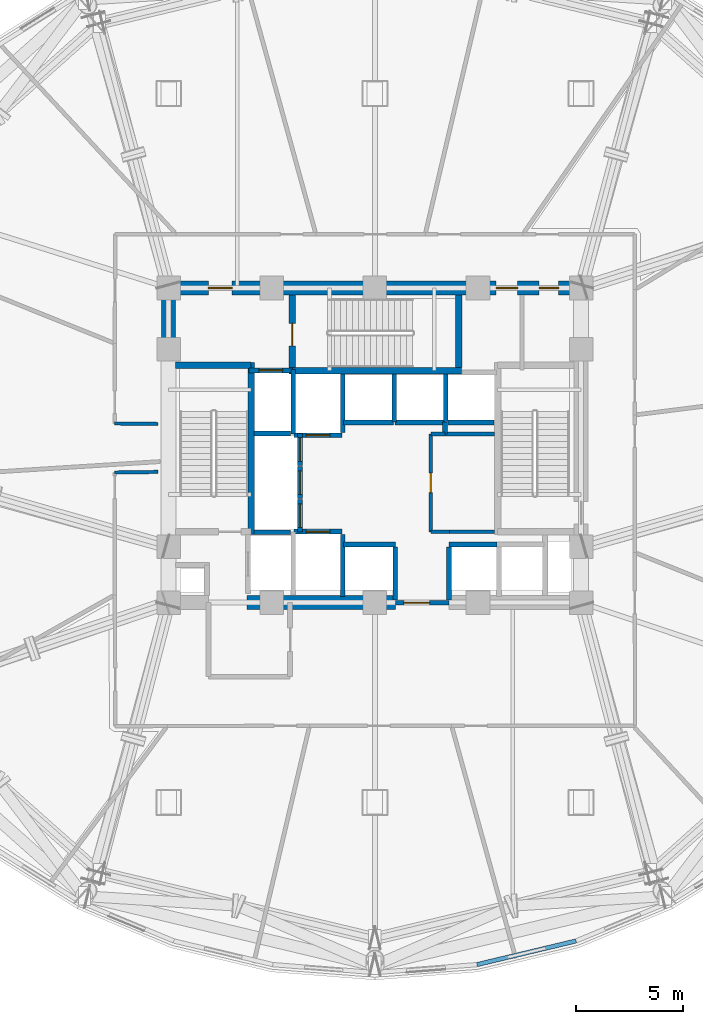
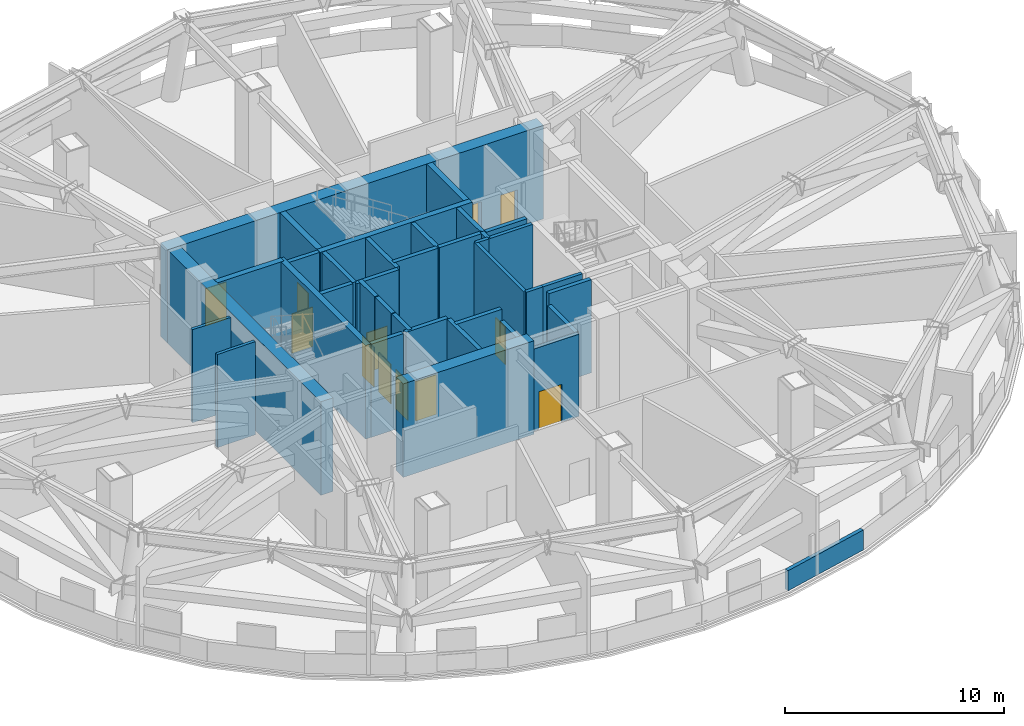
# One storey, part 7 of 14: 38 walls, 12 doors, 12 openings.
"""IFC4 building model written with IfcOpenShell, lengths in metres."""

from ifc_helpers import new_model, si_unit, direction, frame, frame_2d, origin, place, context, subcontext, project, spatial, rectangle, extrude, material, layer, layer_set, type_object, element, fill, save


model = new_model("IFC4")

# Units and contexts
model_context = context("Model", 3, precision=1e-05, world=origin(), true_north=direction((0.0, 1.0)))
body_context = subcontext(model_context, "Body", "Model", "MODEL_VIEW")
ifc_project = project(units=[si_unit("LENGTHUNIT", "METRE"), si_unit("AREAUNIT", "SQUARE_METRE"), si_unit("VOLUMEUNIT", "CUBIC_METRE"), si_unit("PLANEANGLEUNIT", "RADIAN"), si_unit("MASSUNIT", "GRAM", prefix="KILO")], contexts=[model_context])

# Site, building, storey
site_placement = place(None, origin())
site = spatial("IfcSite", under=ifc_project, at=site_placement, CompositionType="ELEMENT")
building_placement = place(site_placement, origin())
building = spatial("IfcBuilding", under=site, at=building_placement, Name="Vantalir Tower", CompositionType="ELEMENT")
storey_placement = place(building_placement, frame((0.0, 0.0, 90.75)))
storey = spatial("IfcBuildingStorey", under=building, at=storey_placement, Name="L22", CompositionType="ELEMENT", Elevation=90.75)

# Wall
ifc_material_1 = material(Name="Concrete C60/75", Category="concrete")
ifc_layer_1 = layer(ifc_material_1, 0.64990234375)
ifc_layer_set_1 = layer_set([ifc_layer_1], Name="Concrete C60/75")
wall_type_1 = type_object("IfcWallType", Name="WL-CORE-650", PredefinedType="SHEAR", material=ifc_layer_set_1)
wall_1_placement = place(storey_placement, frame((25.550048828125, 17.800048828125, 0.0), z_axis=(0.0, 0.0, 1.0), x_axis=(1.0, 0.0, 0.0)))
element("IfcWall", 1, at=wall_1_placement, inside=storey, type_object=wall_type_1, Name="L22 Core Shear Wall South-Mid", PredefinedType="SHEAR", context=body_context, shape_type="SweptSolid", body=[
    extrude(rectangle(XDim=6.89990234375, YDim=0.64990234375, at=frame_2d((3.449951171875, 0.0))), origin(), (0.0, 0.0, 1.0), 5.219970703125),
])

# Wall, openings, doors
wall_2_placement = place(storey_placement, frame((21.574951171875, 32.449951171875, 0.0), z_axis=(0.0, 0.0, 1.0), x_axis=(1.0, 0.0, 0.0)))
wall_2 = element("IfcWall", 2, at=wall_2_placement, inside=storey, type_object=wall_type_1, Name="L22 Core Shear Wall North", PredefinedType="SHEAR", context=body_context, shape_type="SweptSolid", body=[
    extrude(rectangle(XDim=19.85009765625, YDim=0.64990234375, at=frame_2d((9.925048828125, 0.0))), origin(), (0.0, 0.0, 1.0), 5.219970703125),
])
opening_1_placement = place(wall_2_placement, frame((2.175048828125, 0.0, 0.0)))
opening_1 = element("IfcOpeningElement", 3, at=opening_1_placement, cuts=wall_2, Name="Opening D-FFL", PredefinedType="OPENING", context=body_context, shape_type="SweptSolid", body=[
    extrude(rectangle(XDim=1.10009765625, YDim=2.10009765625, at=frame_2d((0.550048828125, 1.050048828125))), frame((0.0, 0.3349609375, 0.0), z_axis=(0.0, -1.0, 0.0), x_axis=(1.0, 0.0, 0.0)), (0.0, 0.0, 1.0), 0.669921875),
])
opening_2_placement = place(wall_2_placement, frame((15.56494140625, 0.0, 0.0)))
opening_2 = element("IfcOpeningElement", 4, at=opening_2_placement, cuts=wall_2, Name="Opening D-GUEST", PredefinedType="OPENING", context=body_context, shape_type="SweptSolid", body=[
    extrude(rectangle(XDim=1.0, YDim=2.10009765625, at=frame_2d((0.5, 1.050048828125))), frame((0.0, 0.3349609375, 0.0), z_axis=(0.0, -1.0, 0.0), x_axis=(1.0, 0.0, 0.0)), (0.0, 0.0, 1.0), 0.669921875),
])
opening_3_placement = place(wall_2_placement, frame((17.574951171875, 0.0, 0.0)))
opening_3 = element("IfcOpeningElement", 5, at=opening_3_placement, cuts=wall_2, Name="Opening D-CR", PredefinedType="OPENING", context=body_context, shape_type="SweptSolid", body=[
    extrude(rectangle(XDim=0.89990234375, YDim=2.10009765625, at=frame_2d((0.449951171875, 1.050048828125))), frame((0.0, 0.3349609375, 0.0), z_axis=(0.0, -1.0, 0.0), x_axis=(1.0, 0.0, 0.0)), (0.0, 0.0, 1.0), 0.669921875),
])
ifc_material_2 = material(Name="Fire-rated steel core service door", Category="steel")
door_type_1 = type_object("IfcDoorType", Name="DR-CORE-SERV-900", OperationType="NOTDEFINED", PredefinedType="DOOR", material=ifc_material_2)
door_1_placement = place(opening_3_placement, frame((0.89990234375, 0.0, 0.0), z_axis=(0.0, 0.0, 1.0), x_axis=(-1.0, 0.0, 0.0)))
door_1 = element("IfcDoor", 6, at=door_1_placement, inside=storey, type_object=door_type_1, Name="L22 Housekeeping and Linen Room Door", OperationType="SINGLE_SWING_RIGHT", OverallHeight=2.10009765625, OverallWidth=0.89990234375, PredefinedType="DOOR", context=body_context, shape_type="SweptSolid", body=[
    extrude(rectangle(XDim=0.89990234375, YDim=2.10009765625, at=frame_2d((0.449951171875, 1.050048828125))), frame((0.0, 0.02490234375, 0.0), z_axis=(0.0, -1.0, 0.0), x_axis=(1.0, 0.0, 0.0)), (0.0, 0.0, 1.0), 0.050048828125),
])
fill(opening_3, door_1)
ifc_material_3 = material(Name="Fire-rated acoustic steel door", Category="steel")
door_type_2 = type_object("IfcDoorType", Name="DR-FIRE-LOBBY-1100", OperationType="NOTDEFINED", PredefinedType="DOOR", material=ifc_material_3)
door_2_placement = place(opening_1_placement, frame((1.10009765625, 0.0, 0.0), z_axis=(0.0, 0.0, 1.0), x_axis=(-1.0, 0.0, 0.0)))
door_2 = element("IfcDoor", 7, at=door_2_placement, inside=storey, type_object=door_type_2, Name="L22 Firefighting Lobby East Access Door", OperationType="SINGLE_SWING_RIGHT", OverallHeight=2.10009765625, OverallWidth=1.10009765625, PredefinedType="DOOR", context=body_context, shape_type="SweptSolid", body=[
    extrude(rectangle(XDim=1.10009765625, YDim=2.10009765625, at=frame_2d((0.550048828125, 1.050048828125))), frame((0.0, 0.02490234375, 0.0), z_axis=(0.0, -1.0, 0.0), x_axis=(1.0, 0.0, 0.0)), (0.0, 0.0, 1.0), 0.050048828125),
])
fill(opening_1, door_2)
ifc_material_4 = material(Name="Solid-core teak veneer acoustic fire door", Category="wood")
door_type_3 = type_object("IfcDoorType", Name="DR-GUEST-ENTRY-1000", OperationType="NOTDEFINED", PredefinedType="DOOR", material=ifc_material_4)
door_3_placement = place(opening_2_placement, frame((1.0, 0.0, 0.0), z_axis=(0.0, 0.0, 1.0), x_axis=(-1.0, 0.0, 0.0)))
door_3 = element("IfcDoor", 8, at=door_3_placement, inside=storey, type_object=door_type_3, Name="L22 High-Rise Lift Lobby Door", OperationType="SINGLE_SWING_LEFT", OverallHeight=2.10009765625, OverallWidth=1.0, PredefinedType="DOOR", context=body_context, shape_type="SweptSolid", body=[
    extrude(rectangle(XDim=1.0, YDim=2.10009765625, at=frame_2d((0.5, 1.050048828125))), frame((0.0, 0.02490234375, 0.0), z_axis=(0.0, -1.0, 0.0), x_axis=(1.0, 0.0, 0.0)), (0.0, 0.0, 1.0), 0.050048828125),
])
fill(opening_2, door_3)

# Walls
wall_3_placement = place(storey_placement, frame((21.89990234375, 18.125, 0.0), z_axis=(0.0, 0.0, 1.0), x_axis=(0.0, 1.0, 0.0)))
element("IfcWall", 9, at=wall_3_placement, inside=storey, type_object=wall_type_1, Name="L22 Core Shear Wall West", PredefinedType="SHEAR", context=body_context, shape_type="SweptSolid", body=[
    extrude(rectangle(XDim=14.0, YDim=0.64990234375, at=frame_2d((7.0, 0.0))), origin(), (0.0, 0.0, 1.0), 5.219970703125),
])
ifc_material_5 = material(Name="Fire-rated hotel corridor acoustic partition", Category="gypsum")
ifc_layer_2 = layer(ifc_material_5, 0.159912109375)
ifc_layer_set_2 = layer_set([ifc_layer_2], Name="Fire-rated hotel corridor acoustic partition")
wall_type_2 = type_object("IfcWallType", Name="WL-CORR-160", PredefinedType="PARTITIONING", material=ifc_layer_set_2)
for number, where, z_axis, x_axis, name in (
    (10, (21.39501953125, 26.117919921875, 0.0), (0.0, 0.0, 1.0), (-0.999927639905, 0.012029752868, 0.0), "L22 Corridor Partition 01"),
    (11, (19.385986328125, 23.85791015625, 0.0), (0.0, 0.0, 1.0), (0.999895455379, 0.014459540551, 0.0), "L22 Corridor Partition 19"),
):
    element("IfcWall", number, at=place(storey_placement, frame(where, z_axis=z_axis, x_axis=x_axis)), inside=storey, type_object=wall_type_2, Name=name, PredefinedType="PARTITIONING", context=body_context, shape_type="SweptSolid", body=[
        extrude(rectangle(XDim=2.00927734375, YDim=0.159912109375, at=frame_2d((1.004638671875, 0.0))), origin(), (0.0, 0.0, 1.0), 5.199951171875),
    ])
ifc_material_6 = material(Name="Concrete blockwork with fireboard lining", Category="masonry")
ifc_layer_3 = layer(ifc_material_6, 0.219970703125)
ifc_layer_set_3 = layer_set([ifc_layer_3], Name="Concrete blockwork with fireboard lining")
wall_type_3 = type_object("IfcWallType", Name="WL-FFL-220", PredefinedType="PARTITIONING", material=ifc_layer_set_3)
wall_4_placement = place(storey_placement, frame((30.0, 18.080078125, 0.0), z_axis=(0.0, 0.0, 1.0), x_axis=(0.0, 1.0, 0.0)))
element("IfcWall", 12, at=wall_4_placement, inside=storey, type_object=wall_type_3, Name="L22 Service Lift SV1 East Shaft Wall", PredefinedType="PARTITIONING", context=body_context, shape_type="SweptSolid", body=[
    extrude(rectangle(XDim=2.89990234375, YDim=0.219970703125, at=frame_2d((1.449951171875, 0.0))), origin(), (0.0, 0.0, 1.0), 5.195068359375),
])
for number, where, z_axis, x_axis, name in (
    (13, (32.449951171875, 17.919921875, 0.0), (0.0, 0.0, 1.0), (0.0, 1.0, 0.0), "L22 Shuttle Lift PL-X1 East Shaft Cheek"),
    (14, (34.949951171875, 17.919921875, 0.0), (0.0, 0.0, 1.0), (0.0, 1.0, 0.0), "L22 Shuttle Lift PL-X3 West Shaft Cheek"),
):
    element("IfcWall", number, at=place(storey_placement, frame(where, z_axis=z_axis, x_axis=x_axis)), inside=storey, type_object=wall_type_3, Name=name, PredefinedType="PARTITIONING", context=body_context, shape_type="SweptSolid", body=[
        extrude(rectangle(XDim=2.469970703125, YDim=0.219970703125, at=frame_2d((1.23486328125, 0.0))), origin(), (0.0, 0.0, 1.0), 4.577880859375),
    ])
wall_5_placement = place(storey_placement, frame((30.0, 25.7099609375, 0.0), z_axis=(0.0, 0.0, 1.0), x_axis=(0.0, 1.0, 0.0)))
element("IfcWall", 15, at=wall_5_placement, inside=storey, type_object=wall_type_3, Name="L22 Service Lift SV2 East Shaft Wall", PredefinedType="PARTITIONING", context=body_context, shape_type="SweptSolid", body=[
    extrude(rectangle(XDim=2.72998046875, YDim=0.219970703125, at=frame_2d((1.364990234375, 0.0))), origin(), (0.0, 0.0, 1.0), 5.195068359375),
])
wall_6_placement = place(storey_placement, frame((32.39990234375, 26.199951171875, 0.0), z_axis=(0.0, 0.0, 1.0), x_axis=(0.0, 1.0, 0.0)))
element("IfcWall", 16, at=wall_6_placement, inside=storey, type_object=wall_type_3, Name="L22 High-Rise Lift PL-H1/H2 Shaft Divider", PredefinedType="PARTITIONING", context=body_context, shape_type="SweptSolid", body=[
    extrude(rectangle(XDim=2.239990234375, YDim=0.219970703125, at=frame_2d((1.1201171875, 0.0))), origin(), (0.0, 0.0, 1.0), 5.195068359375),
])
wall_7_placement = place(storey_placement, frame((34.800048828125, 26.22998046875, 0.0), z_axis=(0.0, 0.0, 1.0), x_axis=(0.0, 1.0, 0.0)))
element("IfcWall", 17, at=wall_7_placement, inside=storey, type_object=wall_type_3, Name="L22 High-Rise Lift PL-H2/H3 Shaft Divider", PredefinedType="PARTITIONING", context=body_context, shape_type="SweptSolid", body=[
    extrude(rectangle(XDim=2.2099609375, YDim=0.219970703125, at=frame_2d((1.10498046875, 0.0))), origin(), (0.0, 0.0, 1.0), 5.195068359375),
])
wall_8_placement = place(storey_placement, frame((34.909912109375, 26.18994140625, 0.0), z_axis=(0.0, 0.0, 1.0), x_axis=(1.0, 0.0, 0.0)))
element("IfcWall", 18, at=wall_8_placement, inside=storey, type_object=wall_type_3, Name="L22 High-Rise Lift PL-H3 Rear Shaft Wall", PredefinedType="PARTITIONING", context=body_context, shape_type="SweptSolid", body=[
    extrude(rectangle(XDim=2.14013671875, YDim=0.219970703125, at=frame_2d((1.070068359375, 0.0))), origin(), (0.0, 0.0, 1.0), 5.195068359375),
])

# Wall, opening, door
wall_9_placement = place(storey_placement, frame((32.449951171875, 17.800048828125, 0.0), z_axis=(0.0, 0.0, 1.0), x_axis=(1.0, 0.0, 0.0)))
wall_9 = element("IfcWall", 19, at=wall_9_placement, inside=storey, type_object=wall_type_3, Name="L22 Passenger Lift Lobby South Wall", PredefinedType="PARTITIONING", context=body_context, shape_type="SweptSolid", body=[
    extrude(rectangle(XDim=2.5, YDim=0.219970703125, at=frame_2d((1.25, 0.0))), origin(), (0.0, 0.0, 1.0), 4.577880859375),
])
opening_4_placement = place(wall_9_placement, frame((0.39990234375, 0.0, 0.0)))
opening_4 = element("IfcOpeningElement", 20, at=opening_4_placement, cuts=wall_9, Name="Opening D-STE", PredefinedType="OPENING", context=body_context, shape_type="SweptSolid", body=[
    extrude(rectangle(XDim=1.199951171875, YDim=2.10009765625, at=frame_2d((0.60009765625, 1.050048828125))), frame((0.0, 0.119873046875, 0.0), z_axis=(0.0, -1.0, 0.0), x_axis=(1.0, 0.0, 0.0)), (0.0, 0.0, 1.0), 0.239990234375),
])
ifc_material_7 = material(Name="Solid-core teak veneer suite entrance door", Category="wood")
door_type_4 = type_object("IfcDoorType", Name="DR-SUITE-ENTRY-1200", OperationType="NOTDEFINED", PredefinedType="DOOR", material=ifc_material_7)
door_4_placement = place(opening_4_placement, origin())
door_4 = element("IfcDoor", 21, at=door_4_placement, inside=storey, type_object=door_type_4, Name="L22 Passenger Lift Lobby Concourse Door", OperationType="SINGLE_SWING_LEFT", OverallHeight=2.10009765625, OverallWidth=1.199951171875, PredefinedType="DOOR", context=body_context, shape_type="SweptSolid", body=[
    extrude(rectangle(XDim=1.199951171875, YDim=2.10009765625, at=frame_2d((0.60009765625, 1.050048828125))), frame((0.0, 0.02490234375, 0.0), z_axis=(0.0, -1.0, 0.0), x_axis=(1.0, 0.0, 0.0)), (0.0, 0.0, 1.0), 0.050048828125),
])
fill(opening_4, door_4)

wall_10_placement = place(storey_placement, frame((25.639892578125, 28.610107421875, 0.0), z_axis=(0.0, 0.0, 1.0), x_axis=(1.0, 0.0, 0.0)))
wall_10 = element("IfcWall", 22, at=wall_10_placement, inside=storey, type_object=wall_type_3, Name="L22 Lift FL2 Shaft Front Wall", PredefinedType="PARTITIONING", context=body_context, shape_type="SweptSolid", body=[
    extrude(rectangle(XDim=2.02001953125, YDim=0.219970703125, at=frame_2d((1.010009765625, 0.0))), origin(), (0.0, 0.0, 1.0), 5.199951171875),
])
opening_5_placement = place(wall_10_placement, frame((0.4599609375, 0.0, 0.0)))
opening_5 = element("IfcOpeningElement", 23, at=opening_5_placement, cuts=wall_10, Name="Opening LD-FL2", PredefinedType="OPENING", context=body_context, shape_type="SweptSolid", body=[
    extrude(rectangle(XDim=1.10009765625, YDim=2.199951171875, at=frame_2d((0.550048828125, 1.10009765625))), frame((0.0, 0.119873046875, 0.0), z_axis=(0.0, -1.0, 0.0), x_axis=(1.0, 0.0, 0.0)), (0.0, 0.0, 1.0), 0.239990234375),
])
ifc_material_8 = material(Name="Brushed stainless-steel sliding lift landing door", Category="steel")
door_type_5 = type_object("IfcDoorType", Name="DR-LIFT-LANDING-1100", OperationType="DOUBLE_DOOR_SLIDING", PredefinedType="DOOR", material=ifc_material_8)
door_5_placement = place(opening_5_placement, origin())
door_5 = element("IfcDoor", 24, at=door_5_placement, inside=storey, type_object=door_type_5, Name="L22 Lift Landing Door FL2", OperationType="DOUBLE_DOOR_SLIDING", OverallHeight=2.199951171875, OverallWidth=1.10009765625, PredefinedType="DOOR", context=body_context, shape_type="SweptSolid", body=[
    extrude(rectangle(XDim=1.10009765625, YDim=2.199951171875, at=frame_2d((0.550048828125, 1.10009765625))), frame((0.0, 0.02490234375, 0.0), z_axis=(0.0, -1.0, 0.0), x_axis=(1.0, 0.0, 0.0)), (0.0, 0.0, 1.0), 0.050048828125),
])
fill(opening_5, door_5)

wall_11_placement = place(storey_placement, frame((27.739990234375, 21.110107421875, 0.0), z_axis=(0.0, 0.0, 1.0), x_axis=(1.0, 0.0, 0.0)))
wall_11 = element("IfcWall", 25, at=wall_11_placement, inside=storey, type_object=wall_type_3, Name="L22 Lift SV1 Shaft Front Wall", PredefinedType="PARTITIONING", context=body_context, shape_type="SweptSolid", body=[
    extrude(rectangle(XDim=2.219970703125, YDim=0.219970703125, at=frame_2d((1.10986328125, 0.0))), origin(), (0.0, 0.0, 1.0), 5.199951171875),
])
opening_6_placement = place(wall_11_placement, frame((0.56005859375, 0.0, 0.0)))
opening_6 = element("IfcOpeningElement", 26, at=opening_6_placement, cuts=wall_11, Name="Opening LD-SV1", PredefinedType="OPENING", context=body_context, shape_type="SweptSolid", body=[
    extrude(rectangle(XDim=1.10009765625, YDim=2.199951171875, at=frame_2d((0.550048828125, 1.10009765625))), frame((0.0, 0.119873046875, 0.0), z_axis=(0.0, -1.0, 0.0), x_axis=(1.0, 0.0, 0.0)), (0.0, 0.0, 1.0), 0.239990234375),
])
door_6_placement = place(opening_6_placement, origin())
door_6 = element("IfcDoor", 27, at=door_6_placement, inside=storey, type_object=door_type_5, Name="L22 Lift Landing Door SV1", OperationType="DOUBLE_DOOR_SLIDING", OverallHeight=2.199951171875, OverallWidth=1.10009765625, PredefinedType="DOOR", context=body_context, shape_type="SweptSolid", body=[
    extrude(rectangle(XDim=1.10009765625, YDim=2.199951171875, at=frame_2d((0.550048828125, 1.10009765625))), frame((0.0, 0.02490234375, 0.0), z_axis=(0.0, -1.0, 0.0), x_axis=(1.0, 0.0, 0.0)), (0.0, 0.0, 1.0), 0.050048828125),
])
fill(opening_6, door_6)

wall_12_placement = place(storey_placement, frame((27.739990234375, 25.590087890625, 0.0), z_axis=(0.0, 0.0, 1.0), x_axis=(1.0, 0.0, 0.0)))
wall_12 = element("IfcWall", 28, at=wall_12_placement, inside=storey, type_object=wall_type_3, Name="L22 Lift SV2 Shaft Front Wall", PredefinedType="PARTITIONING", context=body_context, shape_type="SweptSolid", body=[
    extrude(rectangle(XDim=2.219970703125, YDim=0.219970703125, at=frame_2d((1.10986328125, 0.0))), origin(), (0.0, 0.0, 1.0), 5.199951171875),
])
opening_7_placement = place(wall_12_placement, frame((0.56005859375, 0.0, 0.0)))
opening_7 = element("IfcOpeningElement", 29, at=opening_7_placement, cuts=wall_12, Name="Opening LD-SV2", PredefinedType="OPENING", context=body_context, shape_type="SweptSolid", body=[
    extrude(rectangle(XDim=1.10009765625, YDim=2.199951171875, at=frame_2d((0.550048828125, 1.10009765625))), frame((0.0, 0.119873046875, 0.0), z_axis=(0.0, -1.0, 0.0), x_axis=(1.0, 0.0, 0.0)), (0.0, 0.0, 1.0), 0.239990234375),
])
door_7_placement = place(opening_7_placement, frame((1.10009765625, 0.0, 0.0), z_axis=(0.0, 0.0, 1.0), x_axis=(-1.0, 0.0, 0.0)))
door_7 = element("IfcDoor", 30, at=door_7_placement, inside=storey, type_object=door_type_5, Name="L22 Lift Landing Door SV2", OperationType="DOUBLE_DOOR_SLIDING", OverallHeight=2.199951171875, OverallWidth=1.10009765625, PredefinedType="DOOR", context=body_context, shape_type="SweptSolid", body=[
    extrude(rectangle(XDim=1.10009765625, YDim=2.199951171875, at=frame_2d((0.550048828125, 1.10009765625))), frame((0.0, 0.02490234375, 0.0), z_axis=(0.0, -1.0, 0.0), x_axis=(1.0, 0.0, 0.0)), (0.0, 0.0, 1.0), 0.050048828125),
])
fill(opening_7, door_7)

# Walls
wall_13_placement = place(storey_placement, frame((30.0400390625, 20.510009765625, 0.0), z_axis=(0.0, 0.0, 1.0), x_axis=(1.0, 0.0, 0.0)))
element("IfcWall", 31, at=wall_13_placement, inside=storey, type_object=wall_type_3, Name="L22 Lift PL-X1 Shaft Front Wall", PredefinedType="PARTITIONING", context=body_context, shape_type="SweptSolid", body=[
    extrude(rectangle(XDim=2.419921875, YDim=0.219970703125, at=frame_2d((1.2099609375, 0.0))), origin(), (0.0, 0.0, 1.0), 5.199951171875),
])
wall_14_placement = place(storey_placement, frame((34.93994140625, 20.510009765625, 0.0), z_axis=(0.0, 0.0, 1.0), x_axis=(1.0, 0.0, 0.0)))
element("IfcWall", 32, at=wall_14_placement, inside=storey, type_object=wall_type_3, Name="L22 Lift PL-X3 Shaft Front Wall", PredefinedType="PARTITIONING", context=body_context, shape_type="SweptSolid", body=[
    extrude(rectangle(XDim=2.239990234375, YDim=0.219970703125, at=frame_2d((1.1201171875, 0.0))), origin(), (0.0, 0.0, 1.0), 5.199951171875),
])
for number, where, z_axis, x_axis, name in (
    (33, (30.0400390625, 26.18994140625, 0.0), (0.0, 0.0, 1.0), (1.0, 0.0, 0.0), "L22 Lift PL-H1 Shaft Front Wall"),
    (34, (32.43994140625, 26.18994140625, 0.0), (0.0, 0.0, 1.0), (1.0, 0.0, 0.0), "L22 Lift PL-H2 Shaft Front Wall"),
):
    element("IfcWall", number, at=place(storey_placement, frame(where, z_axis=z_axis, x_axis=x_axis)), inside=storey, type_object=wall_type_3, Name=name, PredefinedType="PARTITIONING", context=body_context, shape_type="SweptSolid", body=[
        extrude(rectangle(XDim=2.320068359375, YDim=0.219970703125, at=frame_2d((1.16015625, 0.0))), origin(), (0.0, 0.0, 1.0), 5.199951171875),
    ])

# Wall, opening, door
wall_15_placement = place(storey_placement, frame((28.010009765625, 21.10009765625, 0.0), z_axis=(0.0, 0.0, 1.0), x_axis=(0.0, 1.0, 0.0)))
wall_15 = element("IfcWall", 35, at=wall_15_placement, inside=storey, type_object=wall_type_3, Name="L22 Lift PL-L1 Shaft Front Wall", PredefinedType="PARTITIONING", context=body_context, shape_type="SweptSolid", body=[
    extrude(rectangle(XDim=1.5, YDim=0.219970703125, at=frame_2d((0.75, 0.0))), origin(), (0.0, 0.0, 1.0), 5.199951171875),
])
opening_8_placement = place(wall_15_placement, frame((0.199951171875, 0.0, 0.0)))
opening_8 = element("IfcOpeningElement", 36, at=opening_8_placement, cuts=wall_15, Name="Opening LD-PL-L1", PredefinedType="OPENING", context=body_context, shape_type="SweptSolid", body=[
    extrude(rectangle(XDim=1.10009765625, YDim=2.199951171875, at=frame_2d((0.550048828125, 1.10009765625))), frame((0.0, 0.119873046875, 0.0), z_axis=(0.0, -1.0, 0.0), x_axis=(1.0, 0.0, 0.0)), (0.0, 0.0, 1.0), 0.239990234375),
])
door_8_placement = place(opening_8_placement, frame((1.10009765625, 0.0, 0.0), z_axis=(0.0, 0.0, 1.0), x_axis=(-1.0, 0.0, 0.0)))
door_8 = element("IfcDoor", 37, at=door_8_placement, inside=storey, type_object=door_type_5, Name="L22 Lift Landing Door PL-L1", OperationType="DOUBLE_DOOR_SLIDING", OverallHeight=2.199951171875, OverallWidth=1.10009765625, PredefinedType="DOOR", context=body_context, shape_type="SweptSolid", body=[
    extrude(rectangle(XDim=1.10009765625, YDim=2.199951171875, at=frame_2d((0.550048828125, 1.10009765625))), frame((0.0, 0.02490234375, 0.0), z_axis=(0.0, -1.0, 0.0), x_axis=(1.0, 0.0, 0.0)), (0.0, 0.0, 1.0), 0.050048828125),
])
fill(opening_8, door_8)

wall_16_placement = place(storey_placement, frame((28.010009765625, 22.639892578125, 0.0), z_axis=(0.0, 0.0, 1.0), x_axis=(0.0, 1.0, 0.0)))
wall_16 = element("IfcWall", 38, at=wall_16_placement, inside=storey, type_object=wall_type_3, Name="L22 Lift PL-L2 Shaft Front Wall", PredefinedType="PARTITIONING", context=body_context, shape_type="SweptSolid", body=[
    extrude(rectangle(XDim=1.5, YDim=0.219970703125, at=frame_2d((0.75, 0.0))), origin(), (0.0, 0.0, 1.0), 5.199951171875),
])
opening_9_placement = place(wall_16_placement, frame((0.199951171875, 0.0, 0.0)))
opening_9 = element("IfcOpeningElement", 39, at=opening_9_placement, cuts=wall_16, Name="Opening LD-PL-L2", PredefinedType="OPENING", context=body_context, shape_type="SweptSolid", body=[
    extrude(rectangle(XDim=1.10009765625, YDim=2.199951171875, at=frame_2d((0.550048828125, 1.10009765625))), frame((0.0, 0.119873046875, 0.0), z_axis=(0.0, -1.0, 0.0), x_axis=(1.0, 0.0, 0.0)), (0.0, 0.0, 1.0), 0.239990234375),
])
door_9_placement = place(opening_9_placement, frame((1.10009765625, 0.0, 0.0), z_axis=(0.0, 0.0, 1.0), x_axis=(-1.0, 0.0, 0.0)))
door_9 = element("IfcDoor", 40, at=door_9_placement, inside=storey, type_object=door_type_5, Name="L22 Lift Landing Door PL-L2", OperationType="DOUBLE_DOOR_SLIDING", OverallHeight=2.199951171875, OverallWidth=1.10009765625, PredefinedType="DOOR", context=body_context, shape_type="SweptSolid", body=[
    extrude(rectangle(XDim=1.10009765625, YDim=2.199951171875, at=frame_2d((0.550048828125, 1.10009765625))), frame((0.0, 0.02490234375, 0.0), z_axis=(0.0, -1.0, 0.0), x_axis=(1.0, 0.0, 0.0)), (0.0, 0.0, 1.0), 0.050048828125),
])
fill(opening_9, door_9)

wall_17_placement = place(storey_placement, frame((28.010009765625, 24.179931640625, 0.0), z_axis=(0.0, 0.0, 1.0), x_axis=(0.0, 1.0, 0.0)))
wall_17 = element("IfcWall", 41, at=wall_17_placement, inside=storey, type_object=wall_type_3, Name="L22 Lift PL-L3 Shaft Front Wall", PredefinedType="PARTITIONING", context=body_context, shape_type="SweptSolid", body=[
    extrude(rectangle(XDim=1.5, YDim=0.219970703125, at=frame_2d((0.75, 0.0))), origin(), (0.0, 0.0, 1.0), 5.199951171875),
])
opening_10_placement = place(wall_17_placement, frame((0.199951171875, 0.0, 0.0)))
opening_10 = element("IfcOpeningElement", 42, at=opening_10_placement, cuts=wall_17, Name="Opening LD-PL-L3", PredefinedType="OPENING", context=body_context, shape_type="SweptSolid", body=[
    extrude(rectangle(XDim=1.10009765625, YDim=2.199951171875, at=frame_2d((0.550048828125, 1.10009765625))), frame((0.0, 0.119873046875, 0.0), z_axis=(0.0, -1.0, 0.0), x_axis=(1.0, 0.0, 0.0)), (0.0, 0.0, 1.0), 0.239990234375),
])
door_10_placement = place(opening_10_placement, frame((1.10009765625, 0.0, 0.0), z_axis=(0.0, 0.0, 1.0), x_axis=(-1.0, 0.0, 0.0)))
door_10 = element("IfcDoor", 43, at=door_10_placement, inside=storey, type_object=door_type_5, Name="L22 Lift Landing Door PL-L3", OperationType="DOUBLE_DOOR_SLIDING", OverallHeight=2.199951171875, OverallWidth=1.10009765625, PredefinedType="DOOR", context=body_context, shape_type="SweptSolid", body=[
    extrude(rectangle(XDim=1.10009765625, YDim=2.199951171875, at=frame_2d((0.550048828125, 1.10009765625))), frame((0.0, 0.02490234375, 0.0), z_axis=(0.0, -1.0, 0.0), x_axis=(1.0, 0.0, 0.0)), (0.0, 0.0, 1.0), 0.050048828125),
])
fill(opening_10, door_10)

# Walls
wall_18_placement = place(storey_placement, frame((27.699951171875, 25.64990234375, 0.0), z_axis=(0.0, 0.0, 1.0), x_axis=(0.0, 1.0, 0.0)))
element("IfcWall", 44, at=wall_18_placement, inside=storey, type_object=wall_type_3, Name="L22 Fire Lift FL2 Dividing Wall", PredefinedType="PARTITIONING", context=body_context, shape_type="SweptSolid", body=[
    extrude(rectangle(XDim=3.0, YDim=0.219970703125, at=frame_2d((1.5, 0.0))), origin(), (0.0, 0.0, 1.0), 5.199951171875),
])
for number, where, z_axis, x_axis, name in (
    (45, (25.8798828125, 21.080078125, 0.0), (0.0, 0.0, 1.0), (1.0, 0.0, 0.0), "L22 Low-Rise Bank South Wall"),
    (46, (25.8798828125, 25.679931640625, 0.0), (0.0, 0.0, 1.0), (1.0, 0.0, 0.0), "L22 Low-Rise Bank North Wall"),
):
    element("IfcWall", number, at=place(storey_placement, frame(where, z_axis=z_axis, x_axis=x_axis)), inside=storey, type_object=wall_type_3, Name=name, PredefinedType="PARTITIONING", context=body_context, shape_type="SweptSolid", body=[
        extrude(rectangle(XDim=1.7001953125, YDim=0.219970703125, at=frame_2d((0.85009765625, 0.0))), origin(), (0.0, 0.0, 1.0), 5.199951171875),
    ])
wall_19_placement = place(storey_placement, frame((34.760009765625, 25.64990234375, 0.0), z_axis=(0.0, 0.0, 1.0), x_axis=(0.0, 1.0, 0.0)))
element("IfcWall", 47, at=wall_19_placement, inside=storey, type_object=wall_type_3, Name="L22 High-Rise Shaft Shoulder Wall", PredefinedType="PARTITIONING", context=body_context, shape_type="SweptSolid", body=[
    extrude(rectangle(XDim=0.570068359375, YDim=0.219970703125, at=frame_2d((0.28515625, 0.0))), origin(), (0.0, 0.0, 1.0), 5.199951171875),
])
ifc_material_9 = material(Name="Twin-stud acoustic fire-rated gypsum partition", Category="gypsum")
ifc_layer_4 = layer(ifc_material_9, 0.179931640625)
ifc_layer_set_4 = layer_set([ifc_layer_4], Name="Twin-stud acoustic fire-rated gypsum partition")
wall_type_4 = type_object("IfcWallType", Name="WL-GUEST-180", PredefinedType="PARTITIONING", material=ifc_layer_set_4)
wall_20_placement = place(storey_placement, frame((34.97998046875, 21.10009765625, 0.0), z_axis=(0.0, 0.0, 1.0), x_axis=(1.0, 0.0, 0.0)))
element("IfcWall", 48, at=wall_20_placement, inside=storey, type_object=wall_type_4, Name="L22 Freed East Core South Wall", PredefinedType="PARTITIONING", context=body_context, shape_type="SweptSolid", body=[
    extrude(rectangle(XDim=2.080078125, YDim=0.179931640625, at=frame_2d((1.0400390625, 0.0))), origin(), (0.0, 0.0, 1.0), 5.199951171875),
])
wall_21_placement = place(storey_placement, frame((34.719970703125, 25.64990234375, 0.0), z_axis=(0.0, 0.0, 1.0), x_axis=(1.0, 0.0, 0.0)))
element("IfcWall", 49, at=wall_21_placement, inside=storey, type_object=wall_type_4, Name="L22 Freed East Core North Wall", PredefinedType="PARTITIONING", context=body_context, shape_type="SweptSolid", body=[
    extrude(rectangle(XDim=2.340087890625, YDim=0.179931640625, at=frame_2d((1.169921875, 0.0))), origin(), (0.0, 0.0, 1.0), 5.199951171875),
])
wall_22_placement = place(storey_placement, frame((34.10009765625, 21.10009765625, 0.0), z_axis=(0.0, 0.0, 1.0), x_axis=(1.0, 0.0, 0.0)))
element("IfcWall", 50, at=wall_22_placement, inside=storey, type_object=wall_type_4, Name="L22 East Core Room South Return", PredefinedType="PARTITIONING", context=body_context, shape_type="SweptSolid", body=[
    extrude(rectangle(XDim=0.8798828125, YDim=0.179931640625, at=frame_2d((0.43994140625, 0.0))), origin(), (0.0, 0.0, 1.0), 5.199951171875),
])
wall_23_placement = place(storey_placement, frame((34.10009765625, 25.64990234375, 0.0), z_axis=(0.0, 0.0, 1.0), x_axis=(1.0, 0.0, 0.0)))
element("IfcWall", 51, at=wall_23_placement, inside=storey, type_object=wall_type_4, Name="L22 East Core Room North Return", PredefinedType="PARTITIONING", context=body_context, shape_type="SweptSolid", body=[
    extrude(rectangle(XDim=0.659912109375, YDim=0.179931640625, at=frame_2d((0.330078125, 0.0))), origin(), (0.0, 0.0, 1.0), 5.199951171875),
])

# Wall, opening, door
wall_24_placement = place(storey_placement, frame((34.10009765625, 21.10009765625, 0.0), z_axis=(0.0, 0.0, 1.0), x_axis=(0.0, 1.0, 0.0)))
wall_24 = element("IfcWall", 52, at=wall_24_placement, inside=storey, type_object=wall_type_4, Name="L22 East Core Room West Wall", PredefinedType="PARTITIONING", context=body_context, shape_type="SweptSolid", body=[
    extrude(rectangle(XDim=4.5498046875, YDim=0.179931640625, at=frame_2d((2.27490234375, 0.0))), origin(), (0.0, 0.0, 1.0), 5.199951171875),
])
opening_11_placement = place(wall_24_placement, frame((1.824951171875, 0.0, 0.0)))
opening_11 = element("IfcOpeningElement", 53, at=opening_11_placement, cuts=wall_24, Name="Opening D-CR", PredefinedType="OPENING", context=body_context, shape_type="SweptSolid", body=[
    extrude(rectangle(XDim=0.89990234375, YDim=2.10009765625, at=frame_2d((0.449951171875, 1.050048828125))), frame((0.0, 0.099853515625, 0.0), z_axis=(0.0, -1.0, 0.0), x_axis=(1.0, 0.0, 0.0)), (0.0, 0.0, 1.0), 0.199951171875),
])
door_11_placement = place(opening_11_placement, frame((0.89990234375, 0.0, 0.0), z_axis=(0.0, 0.0, 1.0), x_axis=(-1.0, 0.0, 0.0)))
door_11 = element("IfcDoor", 54, at=door_11_placement, inside=storey, type_object=door_type_1, Name="L22 Core Linen Store Door", OperationType="SINGLE_SWING_LEFT", OverallHeight=2.10009765625, OverallWidth=0.89990234375, PredefinedType="DOOR", context=body_context, shape_type="SweptSolid", body=[
    extrude(rectangle(XDim=0.89990234375, YDim=2.10009765625, at=frame_2d((0.449951171875, 1.050048828125))), frame((0.0, 0.02490234375, 0.0), z_axis=(0.0, -1.0, 0.0), x_axis=(1.0, 0.0, 0.0)), (0.0, 0.0, 1.0), 0.050048828125),
])
fill(opening_11, door_11)

# Walls
ifc_material_10 = material(Name="Concrete C40/50 parapet upstand", Category="concrete")
ifc_layer_5 = layer(ifc_material_10, 0.199951171875)
ifc_layer_set_5 = layer_set([ifc_layer_5], Name="Concrete C40/50 parapet upstand")
wall_type_5 = type_object("IfcWallType", Name="WL-PARA-200", PredefinedType="PARAPET", material=ifc_layer_set_5)
wall_25_placement = place(storey_placement, frame((36.25390625, 0.947998046875, 0.0), z_axis=(0.0, 0.0, 1.0), x_axis=(0.972607498373, 0.232453552584, 0.0)))
element("IfcWall", 55, at=wall_25_placement, inside=storey, type_object=wall_type_5, Name="L22 Refuge Perimeter Parapet R29", PredefinedType="PARAPET", context=body_context, shape_type="SweptSolid", body=[
    extrude(rectangle(XDim=4.740966796875, YDim=0.199951171875, at=frame_2d((2.37060546875, 0.0))), origin(), (0.0, 0.0, 1.0), 1.1201171875),
])
ifc_material_11 = material(Name="Concrete C50/60", Category="concrete")
ifc_layer_6 = layer(ifc_material_11, 0.300048828125)
ifc_layer_set_6 = layer_set([ifc_layer_6], Name="Concrete C50/60")
wall_type_6 = type_object("IfcWallType", Name="WL-STAIR-300", PredefinedType="SHEAR", material=ifc_layer_set_6)
wall_26_placement = place(storey_placement, frame((22.22509765625, 28.85009765625, 0.0), z_axis=(0.0, 0.0, 1.0), x_axis=(1.0, 0.0, 0.0)))
element("IfcWall", 56, at=wall_26_placement, inside=storey, type_object=wall_type_6, Name="L22 Stair ST1 North Wall", PredefinedType="SHEAR", context=body_context, shape_type="SweptSolid", body=[
    extrude(rectangle(XDim=3.514892578125, YDim=0.300048828125, at=frame_2d((1.75732421875, 0.0))), origin(), (0.0, 0.0, 1.0), 5.219970703125),
])
wall_27_placement = place(storey_placement, frame((25.739990234375, 20.97998046875, 0.0), z_axis=(0.0, 0.0, 1.0), x_axis=(0.0, 1.0, 0.0)))
element("IfcWall", 57, at=wall_27_placement, inside=storey, type_object=wall_type_6, Name="L22 Stair ST1 East Wall", PredefinedType="SHEAR", context=body_context, shape_type="SweptSolid", body=[
    extrude(rectangle(XDim=7.989990234375, YDim=0.300048828125, at=frame_2d((3.9951171875, 0.0))), origin(), (0.0, 0.0, 1.0), 5.219970703125),
])
wall_28_placement = place(storey_placement, frame((27.510009765625, 28.60009765625, 0.0), z_axis=(0.0, 0.0, 1.0), x_axis=(1.0, 0.0, 0.0)))
element("IfcWall", 58, at=wall_28_placement, inside=storey, type_object=wall_type_6, Name="L22 Stair ST3 South Wall", PredefinedType="SHEAR", context=body_context, shape_type="SweptSolid", body=[
    extrude(rectangle(XDim=8.030029296875, YDim=0.300048828125, at=frame_2d((4.01513671875, 0.0))), origin(), (0.0, 0.0, 1.0), 5.219970703125),
])

# Wall, opening, door
wall_29_placement = place(storey_placement, frame((27.64990234375, 28.75, 0.0), z_axis=(0.0, 0.0, 1.0), x_axis=(0.0, 1.0, 0.0)))
wall_29 = element("IfcWall", 59, at=wall_29_placement, inside=storey, type_object=wall_type_6, Name="L22 Stair ST3 West Wall", PredefinedType="SHEAR", context=body_context, shape_type="SweptSolid", body=[
    extrude(rectangle(XDim=3.375, YDim=0.300048828125, at=frame_2d((1.6875, 0.0))), origin(), (0.0, 0.0, 1.0), 5.219970703125),
])
opening_12_placement = place(wall_29_placement, frame((1.0, 0.0, 0.0)))
opening_12 = element("IfcOpeningElement", 60, at=opening_12_placement, cuts=wall_29, Name="Opening D-ST", PredefinedType="OPENING", context=body_context, shape_type="SweptSolid", body=[
    extrude(rectangle(XDim=1.050048828125, YDim=2.10009765625, at=frame_2d((0.52490234375, 1.050048828125))), frame((0.0, 0.159912109375, 0.0), z_axis=(0.0, -1.0, 0.0), x_axis=(1.0, 0.0, 0.0)), (0.0, 0.0, 1.0), 0.320068359375),
])
ifc_material_12 = material(Name="Fire-rated steel door leaf", Category="steel")
door_type_6 = type_object("IfcDoorType", Name="DR-FIRE-STAIR-1050", OperationType="NOTDEFINED", PredefinedType="DOOR", material=ifc_material_12)
door_12_placement = place(opening_12_placement, frame((1.050048828125, 0.0, 0.0), z_axis=(0.0, 0.0, 1.0), x_axis=(-1.0, 0.0, 0.0)))
door_12 = element("IfcDoor", 61, at=door_12_placement, inside=storey, type_object=door_type_6, Name="L22 Exit Stair ST3 Fire Door", OperationType="SINGLE_SWING_LEFT", OverallHeight=2.10009765625, OverallWidth=1.050048828125, PredefinedType="DOOR", context=body_context, shape_type="SweptSolid", body=[
    extrude(rectangle(XDim=1.050048828125, YDim=2.10009765625, at=frame_2d((0.52490234375, 1.050048828125))), frame((0.0, 0.02490234375, 0.0), z_axis=(0.0, -1.0, 0.0), x_axis=(1.0, 0.0, 0.0)), (0.0, 0.0, 1.0), 0.050048828125),
])
fill(opening_12, door_12)

# Wall
wall_30_placement = place(storey_placement, frame((35.39990234375, 28.75, 0.0), z_axis=(0.0, 0.0, 1.0), x_axis=(0.0, 1.0, 0.0)))
element("IfcWall", 62, at=wall_30_placement, inside=storey, type_object=wall_type_6, Name="L22 Stair ST3 East Wall", PredefinedType="SHEAR", context=body_context, shape_type="SweptSolid", body=[
    extrude(rectangle(XDim=3.375, YDim=0.300048828125, at=frame_2d((1.6875, 0.0))), origin(), (0.0, 0.0, 1.0), 5.219970703125),
])

save(model, "model.ifc")
